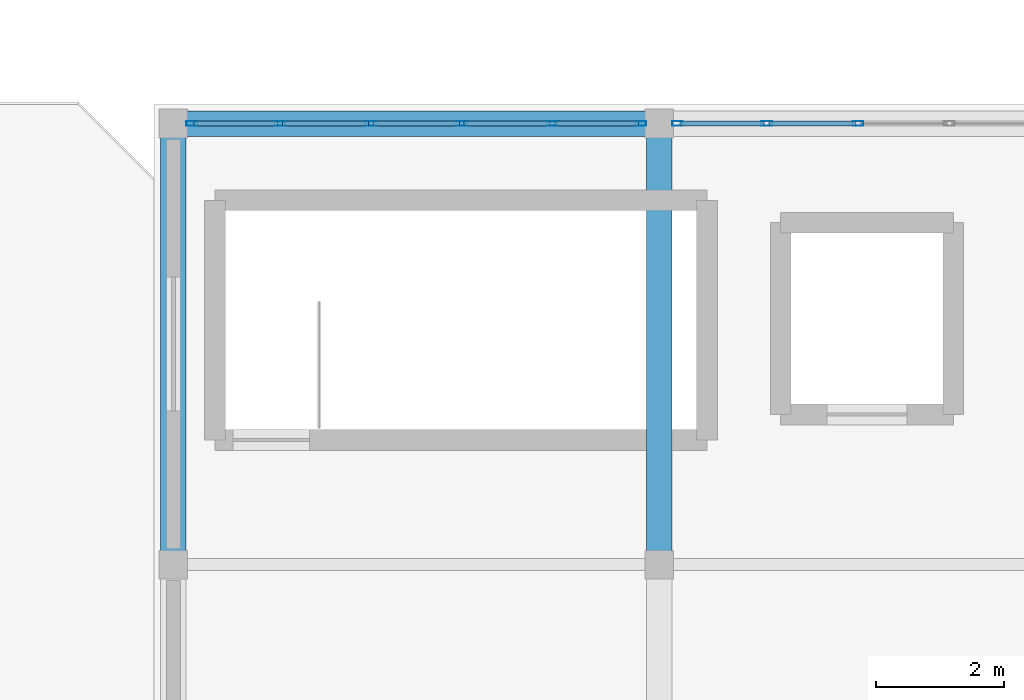
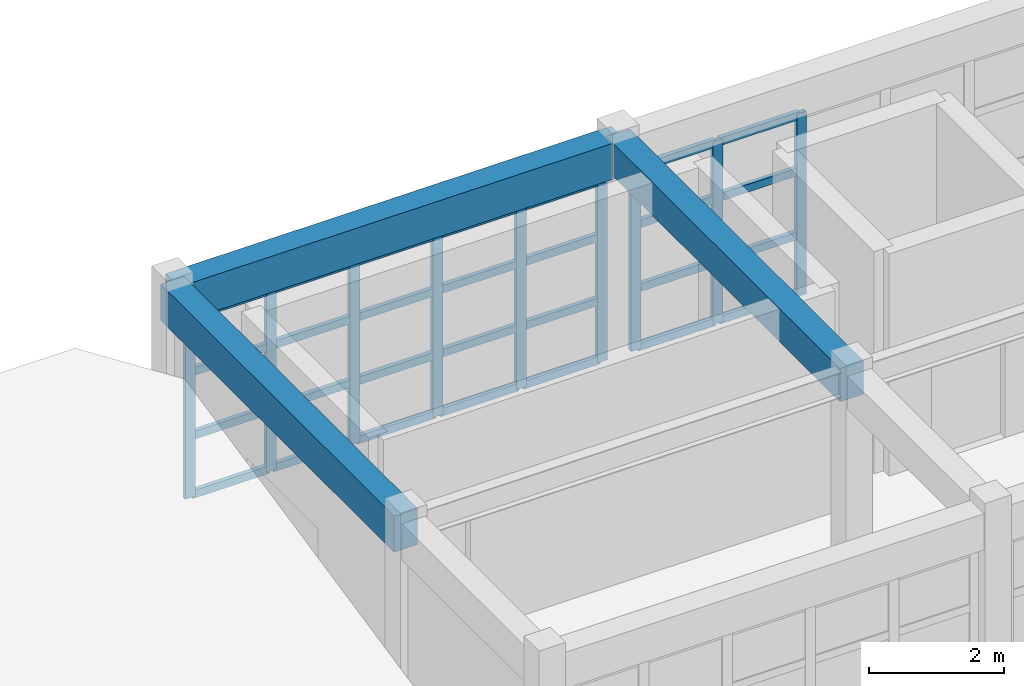
# One storey, part 9 of 52: 37 members, 3 beams, 2 elements without a shape of their own.
"""IFC4 building model written with IfcOpenShell, lengths in metres."""

from ifc_helpers import new_model, si_unit, direction, frame, origin, origin_2d, place, context, subcontext, project, spatial, rectangle, hollow_rectangle, extrude, material, layer, layer_set, material_profile, profile_set, type_object, element, aggregate, save


model = new_model("IFC4")

# Units and contexts
model_context = context("Model", 3, precision=1e-05, world=origin(), true_north=direction((0.0, 1.0)))
body_context = subcontext(model_context, "Body", "Model", "MODEL_VIEW")
ifc_project = project(units=[si_unit("LENGTHUNIT", "METRE"), si_unit("AREAUNIT", "SQUARE_METRE"), si_unit("VOLUMEUNIT", "CUBIC_METRE"), si_unit("PLANEANGLEUNIT", "RADIAN"), si_unit("MASSUNIT", "GRAM", prefix="KILO")], contexts=[model_context])

# Site, building, storey
site_placement = place(None, origin())
site = spatial("IfcSite", under=ifc_project, at=site_placement, CompositionType="ELEMENT")
building_placement = place(site_placement, origin())
building = spatial("IfcBuilding", under=site, at=building_placement, Name="Candilejo Ridge Gondola Terminal", CompositionType="ELEMENT")
storey_placement = place(building_placement, frame((0.0, 0.0, 18.60009765625)))
storey = spatial("IfcBuildingStorey", under=building, at=storey_placement, Name="L04", CompositionType="ELEMENT", Elevation=18.60009765625)

# Curtain wall, members
ifc_material_1 = material(Name="Anodised aluminium AA 6063-T6", Category="aluminium")
ifc_layer_1 = layer(ifc_material_1, 0.169921875)
ifc_layer_set_1 = layer_set([ifc_layer_1], Name="ARC-CW-GALLERY-3200-710X329")
curtain_wall_type_1 = type_object("IfcCurtainWallType", Name="ARC-CW-GALLERY-3200-710X329", PredefinedType="NOTDEFINED", material=ifc_layer_set_1)
curtain_wall_1_placement = place(storey_placement, origin())
curtain_wall_1 = element("IfcCurtainWall", 1, at=curtain_wall_1_placement, inside=storey, type_object=curtain_wall_type_1, Name="Curtain wall V3 L04-100", PredefinedType="NOTDEFINED")
ifc_material_2 = material(Name="Anodised aluminium AA 6063-T6", Category="aluminium")
ifc_material_profile_1 = material_profile(ifc_material_2, hollow_rectangle(XDim=0.074951171875, YDim=0.169921875, WallThickness=0.00390625, at=origin_2d()))
ifc_profile_set_1 = profile_set([ifc_material_profile_1], Name="Anodised aluminium AA 6063-T6")
member_type_1 = type_object("IfcMemberType", Name="ARC-CW-MULLION", PredefinedType="MULLION", material=ifc_profile_set_1)
member_1_placement = place(storey_placement, frame((94.887451171875, 36.699951171875, 0.0), z_axis=(0.0, 0.0, 1.0), x_axis=(0.0, 1.0, 0.0)))
member_1 = element("IfcMember", 2, at=member_1_placement, type_object=member_type_1, Name="CW-71X32 mullion 1", PredefinedType="MULLION", context=body_context, shape_type="SweptSolid", body=[
    extrude(hollow_rectangle(XDim=0.074951171875, YDim=0.169921875, WallThickness=0.00390625, at=origin_2d()), origin(), (0.0, 0.0, 1.0), 3.289794921875),
])
member_2_placement = place(storey_placement, frame((96.27001953125, 36.699951171875, 0.0), z_axis=(0.0, 0.0, 1.0), x_axis=(0.0, 1.0, 0.0)))
member_2 = element("IfcMember", 3, at=member_2_placement, type_object=member_type_1, Name="CW-71X32 mullion 2", PredefinedType="MULLION", context=body_context, shape_type="SweptSolid", body=[
    extrude(hollow_rectangle(XDim=0.074951171875, YDim=0.169921875, WallThickness=0.00390625, at=origin_2d()), origin(), (0.0, 0.0, 1.0), 3.289794921875),
])
member_3_placement = place(storey_placement, frame((97.68994140625, 36.699951171875, 0.0), z_axis=(0.0, 0.0, 1.0), x_axis=(0.0, 1.0, 0.0)))
member_3 = element("IfcMember", 4, at=member_3_placement, type_object=member_type_1, Name="CW-71X32 mullion 3", PredefinedType="MULLION", context=body_context, shape_type="SweptSolid", body=[
    extrude(hollow_rectangle(XDim=0.074951171875, YDim=0.169921875, WallThickness=0.00390625, at=origin_2d()), origin(), (0.0, 0.0, 1.0), 3.289794921875),
])
member_4_placement = place(storey_placement, frame((99.110107421875, 36.699951171875, 0.0), z_axis=(0.0, 0.0, 1.0), x_axis=(0.0, 1.0, 0.0)))
member_4 = element("IfcMember", 5, at=member_4_placement, type_object=member_type_1, Name="CW-71X32 mullion 4", PredefinedType="MULLION", context=body_context, shape_type="SweptSolid", body=[
    extrude(hollow_rectangle(XDim=0.074951171875, YDim=0.169921875, WallThickness=0.00390625, at=origin_2d()), origin(), (0.0, 0.0, 1.0), 3.289794921875),
])
member_5_placement = place(storey_placement, frame((100.530029296875, 36.699951171875, 0.0), z_axis=(0.0, 0.0, 1.0), x_axis=(0.0, 1.0, 0.0)))
member_5 = element("IfcMember", 6, at=member_5_placement, type_object=member_type_1, Name="CW-71X32 mullion 5", PredefinedType="MULLION", context=body_context, shape_type="SweptSolid", body=[
    extrude(hollow_rectangle(XDim=0.074951171875, YDim=0.169921875, WallThickness=0.00390625, at=origin_2d()), origin(), (0.0, 0.0, 1.0), 3.289794921875),
])
member_6_placement = place(storey_placement, frame((101.91259765625, 36.699951171875, 0.0), z_axis=(0.0, 0.0, 1.0), x_axis=(0.0, 1.0, 0.0)))
member_6 = element("IfcMember", 7, at=member_6_placement, type_object=member_type_1, Name="CW-71X32 mullion 6", PredefinedType="MULLION", context=body_context, shape_type="SweptSolid", body=[
    extrude(hollow_rectangle(XDim=0.074951171875, YDim=0.169921875, WallThickness=0.00390625, at=origin_2d()), origin(), (0.0, 0.0, 1.0), 3.289794921875),
])

ifc_material_3 = material(Name="Anodised aluminium AA 6063-T6", Category="aluminium")
ifc_layer_2 = layer(ifc_material_3, 0.169921875)
ifc_layer_set_2 = layer_set([ifc_layer_2], Name="ARC-CW-GALLERY-3200-715X329")
curtain_wall_type_2 = type_object("IfcCurtainWallType", Name="ARC-CW-GALLERY-3200-715X329", PredefinedType="NOTDEFINED", material=ifc_layer_set_2)
curtain_wall_2_placement = place(storey_placement, origin())
curtain_wall_2 = element("IfcCurtainWall", 8, at=curtain_wall_2_placement, inside=storey, type_object=curtain_wall_type_2, Name="Curtain wall V3 L04-102", PredefinedType="NOTDEFINED")
member_7_placement = place(storey_placement, frame((102.487548828125, 36.699951171875, 0.0), z_axis=(0.0, 0.0, 1.0), x_axis=(0.0, 1.0, 0.0)))
member_7 = element("IfcMember", 9, at=member_7_placement, type_object=member_type_1, Name="CW-71X32 mullion 1", PredefinedType="MULLION", context=body_context, shape_type="SweptSolid", body=[
    extrude(hollow_rectangle(XDim=0.074951171875, YDim=0.169921875, WallThickness=0.00390625, at=origin_2d()), origin(), (0.0, 0.0, 1.0), 3.289794921875),
])
member_8_placement = place(storey_placement, frame((103.8798828125, 36.699951171875, 0.0), z_axis=(0.0, 0.0, 1.0), x_axis=(0.0, 1.0, 0.0)))
member_8 = element("IfcMember", 10, at=member_8_placement, type_object=member_type_1, Name="CW-71X32 mullion 2", PredefinedType="MULLION", context=body_context, shape_type="SweptSolid", body=[
    extrude(hollow_rectangle(XDim=0.074951171875, YDim=0.169921875, WallThickness=0.00390625, at=origin_2d()), origin(), (0.0, 0.0, 1.0), 3.289794921875),
])
member_9_placement = place(storey_placement, frame((105.31005859375, 36.699951171875, 0.0), z_axis=(0.0, 0.0, 1.0), x_axis=(0.0, 1.0, 0.0)))
member_9 = element("IfcMember", 11, at=member_9_placement, type_object=member_type_1, Name="CW-71X32 mullion 3", PredefinedType="MULLION", context=body_context, shape_type="SweptSolid", body=[
    extrude(hollow_rectangle(XDim=0.074951171875, YDim=0.169921875, WallThickness=0.00390625, at=origin_2d()), origin(), (0.0, 0.0, 1.0), 3.289794921875),
])

# Member
ifc_material_4 = material(Name="Anodised aluminium AA 6063-T6", Category="aluminium")
ifc_material_profile_2 = material_profile(ifc_material_4, hollow_rectangle(XDim=0.074951171875, YDim=0.139892578125, WallThickness=0.00390625, at=origin_2d()))
ifc_profile_set_2 = profile_set([ifc_material_profile_2], Name="Anodised aluminium AA 6063-T6")
member_type_2 = type_object("IfcMemberType", Name="ARC-CW-TRANSOM", PredefinedType="USERDEFINED", material=ifc_profile_set_2)
member_10_placement = place(storey_placement, frame((94.925048828125, 36.699951171875, 0.037353515625), z_axis=(1.0, 0.0, 0.0), x_axis=(0.0, 1.0, 0.0)))
member_10 = element("IfcMember", 12, at=member_10_placement, type_object=member_type_2, Name="CW-71X32 transom 1.1", ObjectType="TRANSOM", PredefinedType="USERDEFINED", context=body_context, shape_type="SweptSolid", body=[
    extrude(hollow_rectangle(XDim=0.074951171875, YDim=0.139892578125, WallThickness=0.00390625, at=origin_2d()), origin(), (0.0, 0.0, 1.0), 1.307373046875),
])

member_11_placement = place(storey_placement, frame((94.925048828125, 36.699951171875, 1.099853515625), z_axis=(1.0, 0.0, 0.0), x_axis=(0.0, 1.0, 0.0)))
member_11 = element("IfcMember", 13, at=member_11_placement, type_object=member_type_2, Name="CW-71X32 transom 1.2", ObjectType="TRANSOM", PredefinedType="USERDEFINED", context=body_context, shape_type="SweptSolid", body=[
    extrude(hollow_rectangle(XDim=0.074951171875, YDim=0.139892578125, WallThickness=0.00390625, at=origin_2d()), origin(), (0.0, 0.0, 1.0), 1.307373046875),
])

member_12_placement = place(storey_placement, frame((94.925048828125, 36.699951171875, 2.25), z_axis=(1.0, 0.0, 0.0), x_axis=(0.0, 1.0, 0.0)))
member_12 = element("IfcMember", 14, at=member_12_placement, type_object=member_type_2, Name="CW-71X32 transom 1.3", ObjectType="TRANSOM", PredefinedType="USERDEFINED", context=body_context, shape_type="SweptSolid", body=[
    extrude(hollow_rectangle(XDim=0.074951171875, YDim=0.139892578125, WallThickness=0.00390625, at=origin_2d()), origin(), (0.0, 0.0, 1.0), 1.307373046875),
])

member_13_placement = place(storey_placement, frame((94.925048828125, 36.699951171875, 3.25244140625), z_axis=(1.0, 0.0, 0.0), x_axis=(0.0, 1.0, 0.0)))
member_13 = element("IfcMember", 15, at=member_13_placement, type_object=member_type_2, Name="CW-71X32 transom 1.4", ObjectType="TRANSOM", PredefinedType="USERDEFINED", context=body_context, shape_type="SweptSolid", body=[
    extrude(hollow_rectangle(XDim=0.074951171875, YDim=0.139892578125, WallThickness=0.00390625, at=origin_2d()), origin(), (0.0, 0.0, 1.0), 1.307373046875),
])

member_14_placement = place(storey_placement, frame((96.3076171875, 36.699951171875, 0.037353515625), z_axis=(1.0, 0.0, 0.0), x_axis=(0.0, 1.0, 0.0)))
member_14 = element("IfcMember", 16, at=member_14_placement, type_object=member_type_2, Name="CW-71X32 transom 2.1", ObjectType="TRANSOM", PredefinedType="USERDEFINED", context=body_context, shape_type="SweptSolid", body=[
    extrude(hollow_rectangle(XDim=0.074951171875, YDim=0.139892578125, WallThickness=0.00390625, at=origin_2d()), origin(), (0.0, 0.0, 1.0), 1.344970703125),
])

member_15_placement = place(storey_placement, frame((96.3076171875, 36.699951171875, 1.099853515625), z_axis=(1.0, 0.0, 0.0), x_axis=(0.0, 1.0, 0.0)))
member_15 = element("IfcMember", 17, at=member_15_placement, type_object=member_type_2, Name="CW-71X32 transom 2.2", ObjectType="TRANSOM", PredefinedType="USERDEFINED", context=body_context, shape_type="SweptSolid", body=[
    extrude(hollow_rectangle(XDim=0.074951171875, YDim=0.139892578125, WallThickness=0.00390625, at=origin_2d()), origin(), (0.0, 0.0, 1.0), 1.344970703125),
])

member_16_placement = place(storey_placement, frame((96.3076171875, 36.699951171875, 2.25), z_axis=(1.0, 0.0, 0.0), x_axis=(0.0, 1.0, 0.0)))
member_16 = element("IfcMember", 18, at=member_16_placement, type_object=member_type_2, Name="CW-71X32 transom 2.3", ObjectType="TRANSOM", PredefinedType="USERDEFINED", context=body_context, shape_type="SweptSolid", body=[
    extrude(hollow_rectangle(XDim=0.074951171875, YDim=0.139892578125, WallThickness=0.00390625, at=origin_2d()), origin(), (0.0, 0.0, 1.0), 1.344970703125),
])

member_17_placement = place(storey_placement, frame((96.3076171875, 36.699951171875, 3.25244140625), z_axis=(1.0, 0.0, 0.0), x_axis=(0.0, 1.0, 0.0)))
member_17 = element("IfcMember", 19, at=member_17_placement, type_object=member_type_2, Name="CW-71X32 transom 2.4", ObjectType="TRANSOM", PredefinedType="USERDEFINED", context=body_context, shape_type="SweptSolid", body=[
    extrude(hollow_rectangle(XDim=0.074951171875, YDim=0.139892578125, WallThickness=0.00390625, at=origin_2d()), origin(), (0.0, 0.0, 1.0), 1.344970703125),
])

member_18_placement = place(storey_placement, frame((97.7275390625, 36.699951171875, 0.037353515625), z_axis=(1.0, 0.0, 0.0), x_axis=(0.0, 1.0, 0.0)))
member_18 = element("IfcMember", 20, at=member_18_placement, type_object=member_type_2, Name="CW-71X32 transom 3.1", ObjectType="TRANSOM", PredefinedType="USERDEFINED", context=body_context, shape_type="SweptSolid", body=[
    extrude(hollow_rectangle(XDim=0.074951171875, YDim=0.139892578125, WallThickness=0.00390625, at=origin_2d()), origin(), (0.0, 0.0, 1.0), 1.344970703125),
])

member_19_placement = place(storey_placement, frame((97.7275390625, 36.699951171875, 1.099853515625), z_axis=(1.0, 0.0, 0.0), x_axis=(0.0, 1.0, 0.0)))
member_19 = element("IfcMember", 21, at=member_19_placement, type_object=member_type_2, Name="CW-71X32 transom 3.2", ObjectType="TRANSOM", PredefinedType="USERDEFINED", context=body_context, shape_type="SweptSolid", body=[
    extrude(hollow_rectangle(XDim=0.074951171875, YDim=0.139892578125, WallThickness=0.00390625, at=origin_2d()), origin(), (0.0, 0.0, 1.0), 1.344970703125),
])

member_20_placement = place(storey_placement, frame((97.7275390625, 36.699951171875, 2.25), z_axis=(1.0, 0.0, 0.0), x_axis=(0.0, 1.0, 0.0)))
member_20 = element("IfcMember", 22, at=member_20_placement, type_object=member_type_2, Name="CW-71X32 transom 3.3", ObjectType="TRANSOM", PredefinedType="USERDEFINED", context=body_context, shape_type="SweptSolid", body=[
    extrude(hollow_rectangle(XDim=0.074951171875, YDim=0.139892578125, WallThickness=0.00390625, at=origin_2d()), origin(), (0.0, 0.0, 1.0), 1.344970703125),
])

member_21_placement = place(storey_placement, frame((97.7275390625, 36.699951171875, 3.25244140625), z_axis=(1.0, 0.0, 0.0), x_axis=(0.0, 1.0, 0.0)))
member_21 = element("IfcMember", 23, at=member_21_placement, type_object=member_type_2, Name="CW-71X32 transom 3.4", ObjectType="TRANSOM", PredefinedType="USERDEFINED", context=body_context, shape_type="SweptSolid", body=[
    extrude(hollow_rectangle(XDim=0.074951171875, YDim=0.139892578125, WallThickness=0.00390625, at=origin_2d()), origin(), (0.0, 0.0, 1.0), 1.344970703125),
])

member_22_placement = place(storey_placement, frame((99.1474609375, 36.699951171875, 0.037353515625), z_axis=(1.0, 0.0, 0.0), x_axis=(0.0, 1.0, 0.0)))
member_22 = element("IfcMember", 24, at=member_22_placement, type_object=member_type_2, Name="CW-71X32 transom 4.1", ObjectType="TRANSOM", PredefinedType="USERDEFINED", context=body_context, shape_type="SweptSolid", body=[
    extrude(hollow_rectangle(XDim=0.074951171875, YDim=0.139892578125, WallThickness=0.00390625, at=origin_2d()), origin(), (0.0, 0.0, 1.0), 1.344970703125),
])

member_23_placement = place(storey_placement, frame((99.1474609375, 36.699951171875, 1.099853515625), z_axis=(1.0, 0.0, 0.0), x_axis=(0.0, 1.0, 0.0)))
member_23 = element("IfcMember", 25, at=member_23_placement, type_object=member_type_2, Name="CW-71X32 transom 4.2", ObjectType="TRANSOM", PredefinedType="USERDEFINED", context=body_context, shape_type="SweptSolid", body=[
    extrude(hollow_rectangle(XDim=0.074951171875, YDim=0.139892578125, WallThickness=0.00390625, at=origin_2d()), origin(), (0.0, 0.0, 1.0), 1.344970703125),
])

member_24_placement = place(storey_placement, frame((99.1474609375, 36.699951171875, 2.25), z_axis=(1.0, 0.0, 0.0), x_axis=(0.0, 1.0, 0.0)))
member_24 = element("IfcMember", 26, at=member_24_placement, type_object=member_type_2, Name="CW-71X32 transom 4.3", ObjectType="TRANSOM", PredefinedType="USERDEFINED", context=body_context, shape_type="SweptSolid", body=[
    extrude(hollow_rectangle(XDim=0.074951171875, YDim=0.139892578125, WallThickness=0.00390625, at=origin_2d()), origin(), (0.0, 0.0, 1.0), 1.344970703125),
])

member_25_placement = place(storey_placement, frame((99.1474609375, 36.699951171875, 3.25244140625), z_axis=(1.0, 0.0, 0.0), x_axis=(0.0, 1.0, 0.0)))
member_25 = element("IfcMember", 27, at=member_25_placement, type_object=member_type_2, Name="CW-71X32 transom 4.4", ObjectType="TRANSOM", PredefinedType="USERDEFINED", context=body_context, shape_type="SweptSolid", body=[
    extrude(hollow_rectangle(XDim=0.074951171875, YDim=0.139892578125, WallThickness=0.00390625, at=origin_2d()), origin(), (0.0, 0.0, 1.0), 1.344970703125),
])

member_26_placement = place(storey_placement, frame((100.5673828125, 36.699951171875, 0.037353515625), z_axis=(1.0, 0.0, 0.0), x_axis=(0.0, 1.0, 0.0)))
member_26 = element("IfcMember", 28, at=member_26_placement, type_object=member_type_2, Name="CW-71X32 transom 5.1", ObjectType="TRANSOM", PredefinedType="USERDEFINED", context=body_context, shape_type="SweptSolid", body=[
    extrude(hollow_rectangle(XDim=0.074951171875, YDim=0.139892578125, WallThickness=0.00390625, at=origin_2d()), origin(), (0.0, 0.0, 1.0), 1.3076171875),
])

member_27_placement = place(storey_placement, frame((100.5673828125, 36.699951171875, 1.099853515625), z_axis=(1.0, 0.0, 0.0), x_axis=(0.0, 1.0, 0.0)))
member_27 = element("IfcMember", 29, at=member_27_placement, type_object=member_type_2, Name="CW-71X32 transom 5.2", ObjectType="TRANSOM", PredefinedType="USERDEFINED", context=body_context, shape_type="SweptSolid", body=[
    extrude(hollow_rectangle(XDim=0.074951171875, YDim=0.139892578125, WallThickness=0.00390625, at=origin_2d()), origin(), (0.0, 0.0, 1.0), 1.3076171875),
])

member_28_placement = place(storey_placement, frame((100.5673828125, 36.699951171875, 2.25), z_axis=(1.0, 0.0, 0.0), x_axis=(0.0, 1.0, 0.0)))
member_28 = element("IfcMember", 30, at=member_28_placement, type_object=member_type_2, Name="CW-71X32 transom 5.3", ObjectType="TRANSOM", PredefinedType="USERDEFINED", context=body_context, shape_type="SweptSolid", body=[
    extrude(hollow_rectangle(XDim=0.074951171875, YDim=0.139892578125, WallThickness=0.00390625, at=origin_2d()), origin(), (0.0, 0.0, 1.0), 1.3076171875),
])

member_29_placement = place(storey_placement, frame((100.5673828125, 36.699951171875, 3.25244140625), z_axis=(1.0, 0.0, 0.0), x_axis=(0.0, 1.0, 0.0)))
member_29 = element("IfcMember", 31, at=member_29_placement, type_object=member_type_2, Name="CW-71X32 transom 5.4", ObjectType="TRANSOM", PredefinedType="USERDEFINED", context=body_context, shape_type="SweptSolid", body=[
    extrude(hollow_rectangle(XDim=0.074951171875, YDim=0.139892578125, WallThickness=0.00390625, at=origin_2d()), origin(), (0.0, 0.0, 1.0), 1.3076171875),
])

aggregate(curtain_wall_1, [member_1, member_2, member_3, member_4, member_5, member_6, member_10, member_11, member_12, member_13, member_14, member_15, member_16, member_17, member_18, member_19, member_20, member_21, member_22, member_23, member_24, member_25, member_26, member_27, member_28, member_29])

member_30_placement = place(storey_placement, frame((102.52490234375, 36.699951171875, 0.037353515625), z_axis=(1.0, 0.0, 0.0), x_axis=(0.0, 1.0, 0.0)))
member_30 = element("IfcMember", 32, at=member_30_placement, type_object=member_type_2, Name="CW-71X32 transom 1.1", ObjectType="TRANSOM", PredefinedType="USERDEFINED", context=body_context, shape_type="SweptSolid", body=[
    extrude(hollow_rectangle(XDim=0.074951171875, YDim=0.139892578125, WallThickness=0.00390625, at=origin_2d()), origin(), (0.0, 0.0, 1.0), 1.317626953125),
])

member_31_placement = place(storey_placement, frame((102.52490234375, 36.699951171875, 1.099853515625), z_axis=(1.0, 0.0, 0.0), x_axis=(0.0, 1.0, 0.0)))
member_31 = element("IfcMember", 33, at=member_31_placement, type_object=member_type_2, Name="CW-71X32 transom 1.2", ObjectType="TRANSOM", PredefinedType="USERDEFINED", context=body_context, shape_type="SweptSolid", body=[
    extrude(hollow_rectangle(XDim=0.074951171875, YDim=0.139892578125, WallThickness=0.00390625, at=origin_2d()), origin(), (0.0, 0.0, 1.0), 1.317626953125),
])

member_32_placement = place(storey_placement, frame((102.52490234375, 36.699951171875, 2.25), z_axis=(1.0, 0.0, 0.0), x_axis=(0.0, 1.0, 0.0)))
member_32 = element("IfcMember", 34, at=member_32_placement, type_object=member_type_2, Name="CW-71X32 transom 1.3", ObjectType="TRANSOM", PredefinedType="USERDEFINED", context=body_context, shape_type="SweptSolid", body=[
    extrude(hollow_rectangle(XDim=0.074951171875, YDim=0.139892578125, WallThickness=0.00390625, at=origin_2d()), origin(), (0.0, 0.0, 1.0), 1.317626953125),
])

member_33_placement = place(storey_placement, frame((102.52490234375, 36.699951171875, 3.25244140625), z_axis=(1.0, 0.0, 0.0), x_axis=(0.0, 1.0, 0.0)))
member_33 = element("IfcMember", 35, at=member_33_placement, type_object=member_type_2, Name="CW-71X32 transom 1.4", ObjectType="TRANSOM", PredefinedType="USERDEFINED", context=body_context, shape_type="SweptSolid", body=[
    extrude(hollow_rectangle(XDim=0.074951171875, YDim=0.139892578125, WallThickness=0.00390625, at=origin_2d()), origin(), (0.0, 0.0, 1.0), 1.317626953125),
])

member_34_placement = place(storey_placement, frame((103.91748046875, 36.699951171875, 0.037353515625), z_axis=(1.0, 0.0, 0.0), x_axis=(0.0, 1.0, 0.0)))
member_34 = element("IfcMember", 36, at=member_34_placement, type_object=member_type_2, Name="CW-71X32 transom 2.1", ObjectType="TRANSOM", PredefinedType="USERDEFINED", context=body_context, shape_type="SweptSolid", body=[
    extrude(hollow_rectangle(XDim=0.074951171875, YDim=0.139892578125, WallThickness=0.00390625, at=origin_2d()), origin(), (0.0, 0.0, 1.0), 1.35498046875),
])

member_35_placement = place(storey_placement, frame((103.91748046875, 36.699951171875, 1.099853515625), z_axis=(1.0, 0.0, 0.0), x_axis=(0.0, 1.0, 0.0)))
member_35 = element("IfcMember", 37, at=member_35_placement, type_object=member_type_2, Name="CW-71X32 transom 2.2", ObjectType="TRANSOM", PredefinedType="USERDEFINED", context=body_context, shape_type="SweptSolid", body=[
    extrude(hollow_rectangle(XDim=0.074951171875, YDim=0.139892578125, WallThickness=0.00390625, at=origin_2d()), origin(), (0.0, 0.0, 1.0), 1.35498046875),
])

member_36_placement = place(storey_placement, frame((103.91748046875, 36.699951171875, 2.25), z_axis=(1.0, 0.0, 0.0), x_axis=(0.0, 1.0, 0.0)))
member_36 = element("IfcMember", 38, at=member_36_placement, type_object=member_type_2, Name="CW-71X32 transom 2.3", ObjectType="TRANSOM", PredefinedType="USERDEFINED", context=body_context, shape_type="SweptSolid", body=[
    extrude(hollow_rectangle(XDim=0.074951171875, YDim=0.139892578125, WallThickness=0.00390625, at=origin_2d()), origin(), (0.0, 0.0, 1.0), 1.35498046875),
])

member_37_placement = place(storey_placement, frame((103.91748046875, 36.699951171875, 3.25244140625), z_axis=(1.0, 0.0, 0.0), x_axis=(0.0, 1.0, 0.0)))
member_37 = element("IfcMember", 39, at=member_37_placement, type_object=member_type_2, Name="CW-71X32 transom 2.4", ObjectType="TRANSOM", PredefinedType="USERDEFINED", context=body_context, shape_type="SweptSolid", body=[
    extrude(hollow_rectangle(XDim=0.074951171875, YDim=0.139892578125, WallThickness=0.00390625, at=origin_2d()), origin(), (0.0, 0.0, 1.0), 1.35498046875),
])

aggregate(curtain_wall_2, [member_7, member_8, member_9, member_30, member_31, member_32, member_33, member_34, member_35, member_36, member_37])

# Beams
ifc_material_5 = material(Name="Concrete f'c 35 MPa (C35/45)", Category="concrete")
ifc_material_profile_3 = material_profile(ifc_material_5, rectangle(XDim=0.39990234375, YDim=0.60009765625, at=origin_2d()))
ifc_profile_set_3 = profile_set([ifc_material_profile_3], Name="Concrete f'c 35 MPa (C35/45)")
beam_type_1 = type_object("IfcBeamType", Name="STR-BM-RC400X600", PredefinedType="BEAM", material=ifc_profile_set_3)
beam_1_placement = place(storey_placement, frame((102.199951171875, 29.800048828125, 3.699951171875), z_axis=(0.0, 1.0, 0.0), x_axis=(-1.0, 0.0, 0.0)))
element("IfcBeam", 40, at=beam_1_placement, inside=storey, type_object=beam_type_1, Name="Beam Y V3 L04 Y06-Y07@X16", PredefinedType="BEAM", context=body_context, shape_type="SweptSolid", body=[
    extrude(rectangle(XDim=0.39990234375, YDim=0.60009765625, at=origin_2d()), origin(), (0.0, 0.0, 1.0), 6.89990234375),
])
ifc_material_6 = material(Name="Concrete f'c 35 MPa (C35/45)", Category="concrete")
ifc_material_profile_4 = material_profile(ifc_material_6, rectangle(XDim=0.39990234375, YDim=0.64990234375, at=origin_2d()))
ifc_profile_set_4 = profile_set([ifc_material_profile_4], Name="Concrete f'c 35 MPa (C35/45)")
beam_type_2 = type_object("IfcBeamType", Name="STR-SPN-RC400X650", PredefinedType="SPANDREL", material=ifc_profile_set_4)
beam_2_placement = place(storey_placement, frame((94.60009765625, 36.699951171875, 3.6748046875), z_axis=(1.0, 0.0, 0.0), x_axis=(0.0, 1.0, 0.0)))
element("IfcBeam", 41, at=beam_2_placement, inside=storey, type_object=beam_type_2, Name="Beam X V3 L04 X15-X16@Y07", PredefinedType="SPANDREL", context=body_context, shape_type="SweptSolid", body=[
    extrude(rectangle(XDim=0.39990234375, YDim=0.64990234375, at=origin_2d()), origin(), (0.0, 0.0, 1.0), 7.599853515625),
])
beam_3_placement = place(storey_placement, frame((94.60009765625, 29.800048828125, 3.6748046875), z_axis=(0.0, 1.0, 0.0), x_axis=(-1.0, 0.0, 0.0)))
element("IfcBeam", 42, at=beam_3_placement, inside=storey, type_object=beam_type_2, Name="Beam Y V3 L04 Y06-Y07@X15", PredefinedType="SPANDREL", context=body_context, shape_type="SweptSolid", body=[
    extrude(rectangle(XDim=0.39990234375, YDim=0.64990234375, at=origin_2d()), origin(), (0.0, 0.0, 1.0), 6.89990234375),
])

save(model, "model.ifc")
